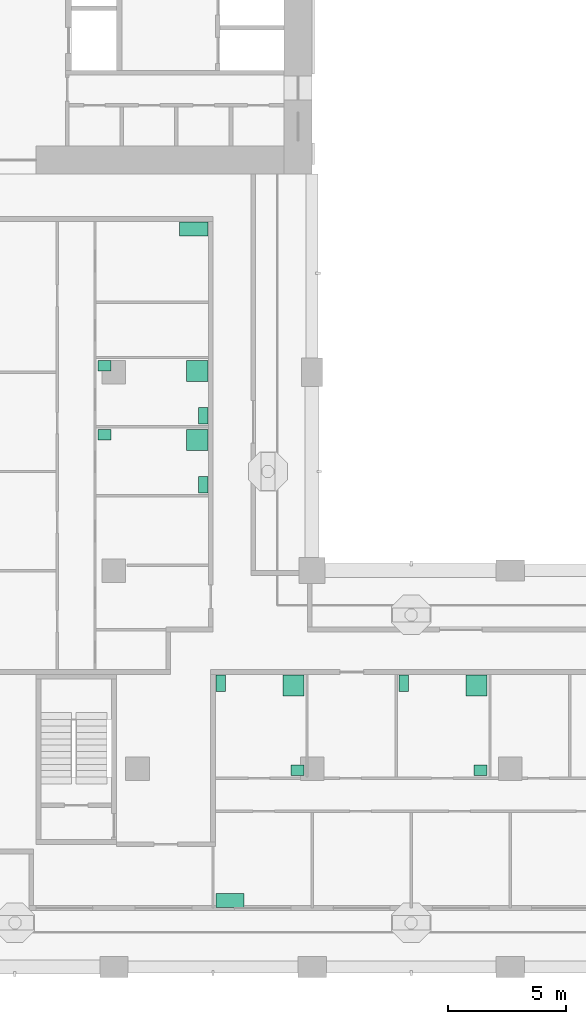
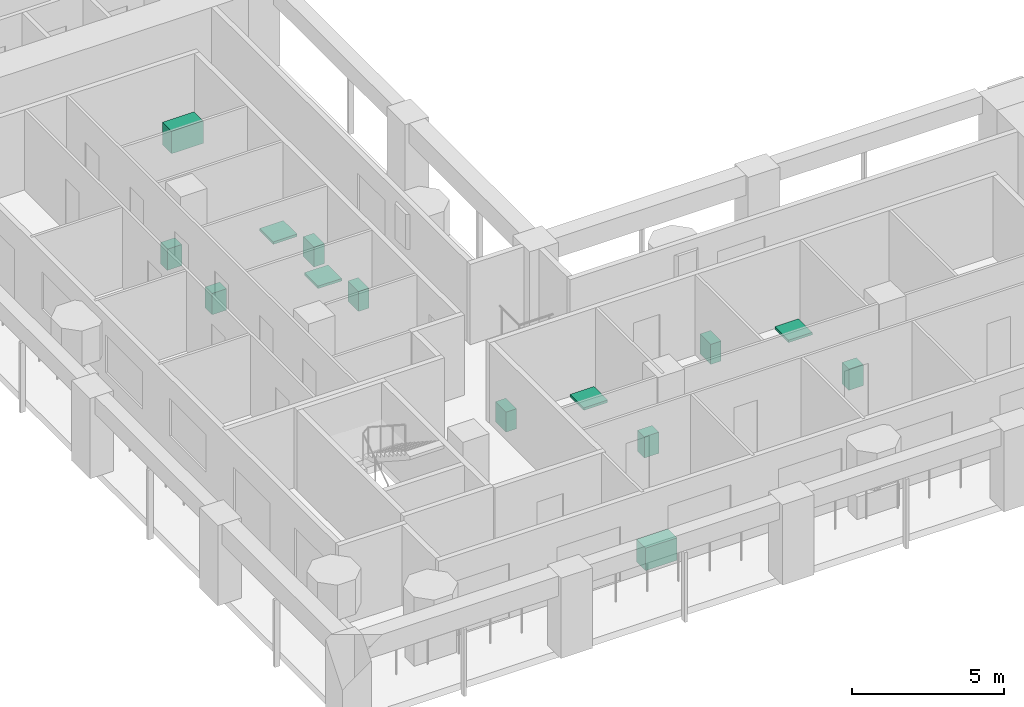
# One storey, part 11 of 13: 14 sanitary terminals.
"""IFC4 building model written with IfcOpenShell, lengths in metres."""

from ifc_helpers import new_model, si_unit, direction, frame, origin, origin_2d, place, context, subcontext, project, spatial, rectangle, extrude, material, element, save


model = new_model("IFC4")

# Units and contexts
model_context = context("Model", 3, precision=1e-05, world=origin(), true_north=direction((0.0, 1.0)))
body_context = subcontext(model_context, "Body", "Model", "MODEL_VIEW")
ifc_project = project(units=[si_unit("LENGTHUNIT", "METRE"), si_unit("AREAUNIT", "SQUARE_METRE"), si_unit("VOLUMEUNIT", "CUBIC_METRE"), si_unit("PLANEANGLEUNIT", "RADIAN"), si_unit("MASSUNIT", "GRAM", prefix="KILO")], contexts=[model_context])

# Site, building, storey
site_placement = place(None, origin())
site = spatial("IfcSite", under=ifc_project, at=site_placement, CompositionType="ELEMENT")
building_placement = place(site_placement, origin())
building = spatial("IfcBuilding", under=site, at=building_placement, Name="Vermilion Gate Residences", CompositionType="ELEMENT")
storey_placement = place(building_placement, frame((0.0, 0.0, 158.199951171875)))
storey = spatial("IfcBuildingStorey", under=building, at=storey_placement, Name="L40", CompositionType="ELEMENT", Elevation=158.199951171875)

# Sanitary terminals
ifc_material_1 = material(Name="Stainless steel", Category="steel")
sanitary_terminal_1_placement = place(storey_placement, frame((21.719970703125, 11.219970703125, 0.0), z_axis=(0.0, 0.0, 1.0), x_axis=(1.0, 0.0, 0.0)))
element("IfcSanitaryTerminal", 1, at=sanitary_terminal_1_placement, inside=storey, material=ifc_material_1, Name="Kitchen sink", PredefinedType="SINK", context=body_context, shape_type="SweptSolid", body=[
    extrude(rectangle(XDim=1.199951171875, YDim=0.60009765625, at=origin_2d()), origin(), (0.0, 0.0, 1.0), 0.89990234375),
])
ifc_material_2 = material(Name="Vitreous china")
sanitary_terminal_2_placement = place(storey_placement, frame((24.409912109375, 20.330078125, 0.0), z_axis=(0.0, 0.0, 1.0), x_axis=(1.0, 0.0, 0.0)))
element("IfcSanitaryTerminal", 2, at=sanitary_terminal_2_placement, inside=storey, material=ifc_material_2, Name="Shower tray", PredefinedType="SHOWER", context=body_context, shape_type="SweptSolid", body=[
    extrude(rectangle(XDim=0.89990234375, YDim=0.89990234375, at=origin_2d()), origin(), (0.0, 0.0, 1.0), 0.10009765625),
])
sanitary_terminal_3_placement = place(storey_placement, frame((21.320068359375, 20.429931640625, 0.0), z_axis=(0.0, 0.0, 1.0), x_axis=(1.0, 0.0, 0.0)))
element("IfcSanitaryTerminal", 3, at=sanitary_terminal_3_placement, inside=storey, material=ifc_material_2, Name="Toilet", PredefinedType="TOILETPAN", context=body_context, shape_type="SweptSolid", body=[
    extrude(rectangle(XDim=0.39990234375, YDim=0.699951171875, at=origin_2d()), origin(), (0.0, 0.0, 1.0), 0.800048828125),
])
sanitary_terminal_4_placement = place(storey_placement, frame((24.5849609375, 16.7451171875, 0.0), z_axis=(0.0, 0.0, 1.0), x_axis=(1.0, 0.0, 0.0)))
element("IfcSanitaryTerminal", 4, at=sanitary_terminal_4_placement, inside=storey, material=ifc_material_2, Name="Wash basin", PredefinedType="WASHHANDBASIN", context=body_context, shape_type="SweptSolid", body=[
    extrude(rectangle(XDim=0.550048828125, YDim=0.449951171875, at=origin_2d()), origin(), (0.0, 0.0, 1.0), 0.85009765625),
])
sanitary_terminal_5_placement = place(storey_placement, frame((32.169921875, 20.330078125, 0.0), z_axis=(0.0, 0.0, 1.0), x_axis=(1.0, 0.0, 0.0)))
element("IfcSanitaryTerminal", 5, at=sanitary_terminal_5_placement, inside=storey, material=ifc_material_2, Name="Shower tray", PredefinedType="SHOWER", context=body_context, shape_type="SweptSolid", body=[
    extrude(rectangle(XDim=0.89990234375, YDim=0.89990234375, at=origin_2d()), origin(), (0.0, 0.0, 1.0), 0.10009765625),
])
sanitary_terminal_6_placement = place(storey_placement, frame((29.080078125, 20.429931640625, 0.0), z_axis=(0.0, 0.0, 1.0), x_axis=(1.0, 0.0, 0.0)))
element("IfcSanitaryTerminal", 6, at=sanitary_terminal_6_placement, inside=storey, material=ifc_material_2, Name="Toilet", PredefinedType="TOILETPAN", context=body_context, shape_type="SweptSolid", body=[
    extrude(rectangle(XDim=0.39990234375, YDim=0.699951171875, at=origin_2d()), origin(), (0.0, 0.0, 1.0), 0.800048828125),
])
sanitary_terminal_7_placement = place(storey_placement, frame((32.344970703125, 16.7451171875, 0.0), z_axis=(0.0, 0.0, 1.0), x_axis=(1.0, 0.0, 0.0)))
element("IfcSanitaryTerminal", 7, at=sanitary_terminal_7_placement, inside=storey, material=ifc_material_2, Name="Wash basin", PredefinedType="WASHHANDBASIN", context=body_context, shape_type="SweptSolid", body=[
    extrude(rectangle(XDim=0.550048828125, YDim=0.449951171875, at=origin_2d()), origin(), (0.0, 0.0, 1.0), 0.85009765625),
])
sanitary_terminal_8_placement = place(storey_placement, frame((20.330078125, 30.72998046875, 0.0), z_axis=(0.0, 0.0, 1.0), x_axis=(1.0, 0.0, 0.0)))
element("IfcSanitaryTerminal", 8, at=sanitary_terminal_8_placement, inside=storey, material=ifc_material_2, Name="Shower tray", PredefinedType="SHOWER", context=body_context, shape_type="SweptSolid", body=[
    extrude(rectangle(XDim=0.89990234375, YDim=0.89990234375, at=origin_2d()), origin(), (0.0, 0.0, 1.0), 0.10009765625),
])
sanitary_terminal_9_placement = place(storey_placement, frame((20.580078125, 28.8369140625, 0.0), z_axis=(0.0, 0.0, 1.0), x_axis=(1.0, 0.0, 0.0)))
element("IfcSanitaryTerminal", 9, at=sanitary_terminal_9_placement, inside=storey, material=ifc_material_2, Name="Toilet", PredefinedType="TOILETPAN", context=body_context, shape_type="SweptSolid", body=[
    extrude(rectangle(XDim=0.39990234375, YDim=0.699951171875, at=origin_2d()), origin(), (0.0, 0.0, 1.0), 0.800048828125),
])
sanitary_terminal_10_placement = place(storey_placement, frame((16.39501953125, 30.955078125, 0.0), z_axis=(0.0, 0.0, 1.0), x_axis=(1.0, 0.0, 0.0)))
element("IfcSanitaryTerminal", 10, at=sanitary_terminal_10_placement, inside=storey, material=ifc_material_2, Name="Wash basin", PredefinedType="WASHHANDBASIN", context=body_context, shape_type="SweptSolid", body=[
    extrude(rectangle(XDim=0.550048828125, YDim=0.449951171875, at=origin_2d()), origin(), (0.0, 0.0, 1.0), 0.85009765625),
])
sanitary_terminal_11_placement = place(storey_placement, frame((20.330078125, 33.6630859375, 0.0), z_axis=(0.0, 0.0, 1.0), x_axis=(1.0, 0.0, 0.0)))
element("IfcSanitaryTerminal", 11, at=sanitary_terminal_11_placement, inside=storey, material=ifc_material_2, Name="Shower tray", PredefinedType="SHOWER", context=body_context, shape_type="SweptSolid", body=[
    extrude(rectangle(XDim=0.89990234375, YDim=0.89990234375, at=origin_2d()), origin(), (0.0, 0.0, 1.0), 0.10009765625),
])
sanitary_terminal_12_placement = place(storey_placement, frame((20.580078125, 31.77001953125, 0.0), z_axis=(0.0, 0.0, 1.0), x_axis=(1.0, 0.0, 0.0)))
element("IfcSanitaryTerminal", 12, at=sanitary_terminal_12_placement, inside=storey, material=ifc_material_2, Name="Toilet", PredefinedType="TOILETPAN", context=body_context, shape_type="SweptSolid", body=[
    extrude(rectangle(XDim=0.39990234375, YDim=0.699951171875, at=origin_2d()), origin(), (0.0, 0.0, 1.0), 0.800048828125),
])
sanitary_terminal_13_placement = place(storey_placement, frame((16.39501953125, 33.887939453125, 0.0), z_axis=(0.0, 0.0, 1.0), x_axis=(1.0, 0.0, 0.0)))
element("IfcSanitaryTerminal", 13, at=sanitary_terminal_13_placement, inside=storey, material=ifc_material_2, Name="Wash basin", PredefinedType="WASHHANDBASIN", context=body_context, shape_type="SweptSolid", body=[
    extrude(rectangle(XDim=0.550048828125, YDim=0.449951171875, at=origin_2d()), origin(), (0.0, 0.0, 1.0), 0.85009765625),
])
sanitary_terminal_14_placement = place(storey_placement, frame((20.179931640625, 39.679931640625, 0.0), z_axis=(0.0, 0.0, 1.0), x_axis=(1.0, 0.0, 0.0)))
element("IfcSanitaryTerminal", 14, at=sanitary_terminal_14_placement, inside=storey, material=ifc_material_1, Name="Kitchen sink", PredefinedType="SINK", context=body_context, shape_type="SweptSolid", body=[
    extrude(rectangle(XDim=1.199951171875, YDim=0.60009765625, at=origin_2d()), origin(), (0.0, 0.0, 1.0), 0.89990234375),
])

save(model, "model.ifc")
